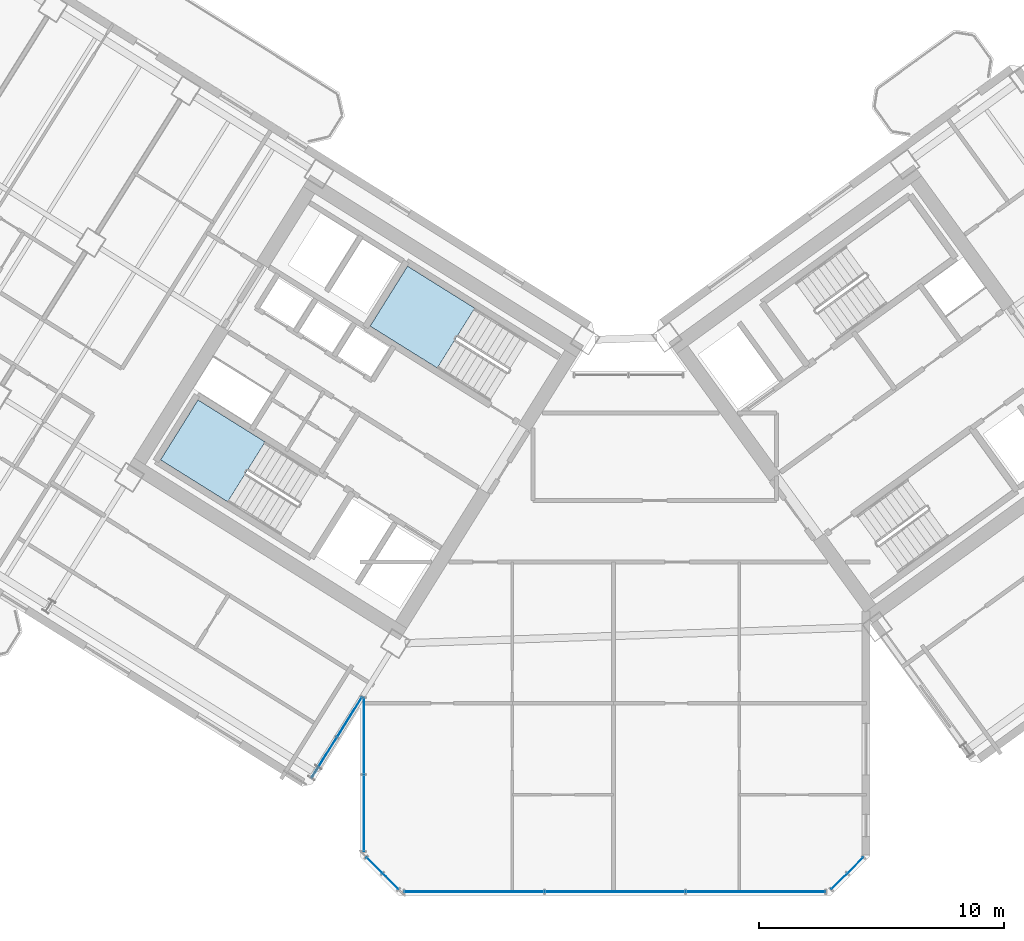
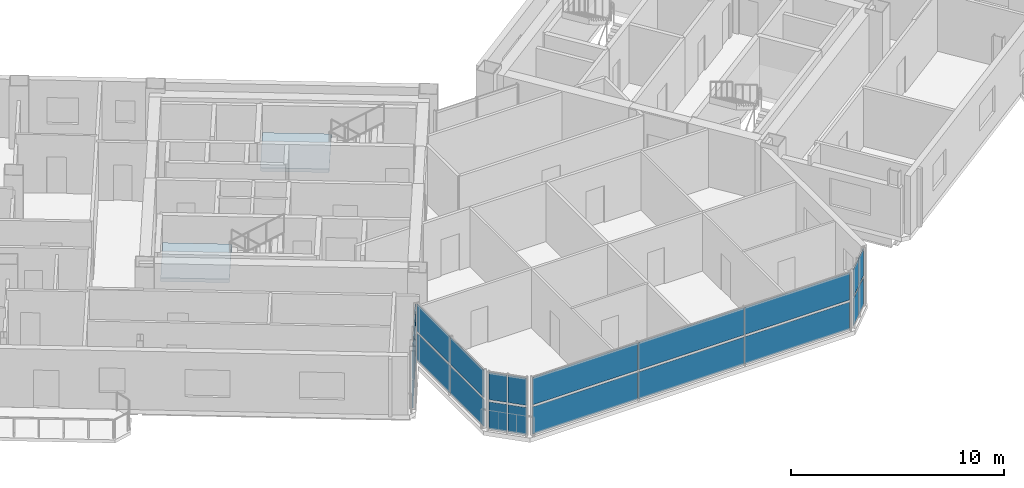
# One storey, part 14 of 25: 22 plates, 2 slabs, 7 elements without a shape of their own.
"""IFC4 building model written with IfcOpenShell, lengths in metres."""

from ifc_helpers import new_model, si_unit, direction, frame, origin, origin_2d, place, context, subcontext, project, spatial, polyline, rectangle, outline, extrude, source, transform, mapped, material, layer, layer_set, type_object, element, aggregate, save


model = new_model("IFC4")

# Units and contexts
model_context = context("Model", 3, precision=1e-05, world=origin(), true_north=direction((0.0, 1.0)))
body_context = subcontext(model_context, "Body", "Model", "MODEL_VIEW")
ifc_project = project(units=[si_unit("LENGTHUNIT", "METRE"), si_unit("AREAUNIT", "SQUARE_METRE"), si_unit("VOLUMEUNIT", "CUBIC_METRE"), si_unit("PLANEANGLEUNIT", "RADIAN"), si_unit("MASSUNIT", "GRAM", prefix="KILO")], contexts=[model_context])

# Site, building, storey
site_placement = place(None, origin())
site = spatial("IfcSite", under=ifc_project, at=site_placement, CompositionType="ELEMENT")
building_placement = place(site_placement, origin())
building = spatial("IfcBuilding", under=site, at=building_placement, Name="Tlacorven Tower", CompositionType="ELEMENT")
storey_placement = place(building_placement, frame((0.0, 0.0, 155.10009765625)))
storey = spatial("IfcBuildingStorey", under=building, at=storey_placement, Name="L39", CompositionType="ELEMENT", Elevation=155.10009765625)

# Stair, slab
ifc_material_1 = material(Name="Concrete C40/50", Category="concrete")
stair_type = type_object("IfcStairType", Name="ST-CORE-DLG", PredefinedType="HALF_TURN_STAIR", material=ifc_material_1)
stair_1_placement = place(storey_placement, origin())
stair_1 = element("IfcStair", 1, at=stair_1_placement, inside=storey, type_object=stair_type, Name="L39 Protected Exit Stair West 1", PredefinedType="HALF_TURN_STAIR")
ifc_layer_1 = layer(ifc_material_1, 0.199951171875)
ifc_layer_set_1 = layer_set([ifc_layer_1], Name="Concrete C40/50")
slab_type = type_object("IfcSlabType", Name="SL-LND-200", PredefinedType="LANDING", material=ifc_layer_set_1)
slab_1_placement = place(storey_placement, frame((0.0, 0.0, 1.599853515625)))
slab_1 = element("IfcSlab", 2, at=slab_1_placement, type_object=slab_type, Name="ST-W1 landing 1", PredefinedType="LANDING", context=body_context, shape_type="SweptSolid", body=[
    extrude(outline(polyline([(27.728515625, 20.315185546875), (24.9892578125, 22.02685546875), (23.463134765625, 19.58447265625), (26.2021484375, 17.872802734375), (27.728515625, 20.315185546875)])), origin(), (0.0, 0.0, 1.0), 0.199951171875),
])
aggregate(stair_1, [slab_1])

stair_2_placement = place(storey_placement, origin())
stair_2 = element("IfcStair", 3, at=stair_2_placement, inside=storey, type_object=stair_type, Name="L39 Protected Exit Stair West 2", PredefinedType="HALF_TURN_STAIR")
slab_2_placement = place(storey_placement, frame((0.0, 0.0, 1.599853515625)))
slab_2 = element("IfcSlab", 4, at=slab_2_placement, type_object=slab_type, Name="ST-W2 landing 1", PredefinedType="LANDING", context=body_context, shape_type="SweptSolid", body=[
    extrude(outline(polyline([(36.280029296875, 25.772705078125), (33.540771484375, 27.484375), (32.0146484375, 25.0419921875), (34.75390625, 23.33056640625), (36.280029296875, 25.772705078125)])), origin(), (0.0, 0.0, 1.0), 0.199951171875),
])
aggregate(stair_2, [slab_2])

# Curtain wall, plates
ifc_material_2 = material(Name="Dark solar low-E double glazing in aluminium frame", Category="aluminium")
curtain_wall_type = type_object("IfcCurtainWallType", Name="CW-TWR-MID", PredefinedType="USERDEFINED", material=ifc_material_2)
curtain_wall_1_placement = place(storey_placement, origin())
curtain_wall_1 = element("IfcCurtainWall", 5, at=curtain_wall_1_placement, inside=storey, type_object=curtain_wall_type, Name="L39 CW-TWR-MID Curtain Wall 172", ObjectType="UNITISED CURTAIN WALL", PredefinedType="USERDEFINED")
ifc_material_3 = material(Name="High-wind dark solar tempered low-E glazing", Category="glass")
ifc_layer_2 = layer(ifc_material_3, 0.028076171875)
ifc_layer_set_2 = layer_set([ifc_layer_2], Name="High-wind dark solar tempered low-E glazing")
plate_type = type_object("IfcPlateType", Name="CWP-03", PredefinedType="CURTAIN_PANEL", material=ifc_layer_set_2)
shared_shape_1 = source(origin(), body_context, "Body", "SweptSolid", [
    extrude(rectangle(XDim=0.885498046875, YDim=0.028076171875, at=origin_2d()), origin(), (0.0, 0.0, 1.0), 1.552978515625),
])
plate_1_placement = place(storey_placement, frame((51.816650390625, 3.04296875, 0.06103515625), z_axis=(0.0, 0.0, 1.0), x_axis=(-0.707106781187, -0.707106781187, 0.0)))
plate_1 = element("IfcPlate", 6, at=plate_1_placement, type_object=plate_type, Name="CW-L39-172 Glazing Panel 1", PredefinedType="CURTAIN_PANEL", context=body_context, shape_type="MappedRepresentation", body=[
    mapped(shared_shape_1, transform((0.0, 0.0, 0.0), scale=1.0)),
])
plate_2_placement = place(storey_placement, frame((51.816650390625, 3.04296875, 1.73583984375), z_axis=(0.0, 0.0, 1.0), x_axis=(-0.707106781187, -0.707106781187, 0.0)))
plate_2 = element("IfcPlate", 7, at=plate_2_placement, type_object=plate_type, Name="CW-L39-172 Glazing Panel 2", PredefinedType="CURTAIN_PANEL", context=body_context, shape_type="MappedRepresentation", body=[
    mapped(shared_shape_1, transform((0.0, 0.0, 0.0), scale=1.0)),
])
plate_3_placement = place(storey_placement, frame((51.1572265625, 2.38330078125, 0.06103515625), z_axis=(0.0, 0.0, 1.0), x_axis=(-0.707106781187, -0.707106781187, 0.0)))
plate_3 = element("IfcPlate", 8, at=plate_3_placement, type_object=plate_type, Name="CW-L39-172 Glazing Panel 3", PredefinedType="CURTAIN_PANEL", context=body_context, shape_type="MappedRepresentation", body=[
    mapped(shared_shape_1, transform((0.0, 0.0, 0.0), scale=1.0)),
])
plate_4_placement = place(storey_placement, frame((51.1572265625, 2.38330078125, 1.73583984375), z_axis=(0.0, 0.0, 1.0), x_axis=(-0.707106781187, -0.707106781187, 0.0)))
plate_4 = element("IfcPlate", 9, at=plate_4_placement, type_object=plate_type, Name="CW-L39-172 Glazing Panel 4", PredefinedType="CURTAIN_PANEL", context=body_context, shape_type="MappedRepresentation", body=[
    mapped(shared_shape_1, transform((0.0, 0.0, 0.0), scale=1.0)),
])
aggregate(curtain_wall_1, [plate_1, plate_2, plate_3, plate_4])

curtain_wall_2_placement = place(storey_placement, origin())
curtain_wall_2 = element("IfcCurtainWall", 10, at=curtain_wall_2_placement, inside=storey, type_object=curtain_wall_type, Name="L39 CW-TWR-MID Curtain Wall 174", ObjectType="UNITISED CURTAIN WALL", PredefinedType="USERDEFINED")
plate_5_placement = place(storey_placement, frame((32.8427734375, 2.38330078125, 0.06103515625), z_axis=(0.0, 0.0, 1.0), x_axis=(-0.707106781187, 0.707106781187, 0.0)))
plate_5 = element("IfcPlate", 11, at=plate_5_placement, type_object=plate_type, Name="CW-L39-174 Glazing Panel 1", PredefinedType="CURTAIN_PANEL", context=body_context, shape_type="MappedRepresentation", body=[
    mapped(shared_shape_1, transform((0.0, 0.0, 0.0), scale=1.0)),
])
plate_6_placement = place(storey_placement, frame((32.8427734375, 2.38330078125, 1.73583984375), z_axis=(0.0, 0.0, 1.0), x_axis=(-0.707106781187, 0.707106781187, 0.0)))
plate_6 = element("IfcPlate", 12, at=plate_6_placement, type_object=plate_type, Name="CW-L39-174 Glazing Panel 2", PredefinedType="CURTAIN_PANEL", context=body_context, shape_type="MappedRepresentation", body=[
    mapped(shared_shape_1, transform((0.0, 0.0, 0.0), scale=1.0)),
])
plate_7_placement = place(storey_placement, frame((32.183349609375, 3.04296875, 0.06103515625), z_axis=(0.0, 0.0, 1.0), x_axis=(-0.707106781187, 0.707106781187, 0.0)))
plate_7 = element("IfcPlate", 13, at=plate_7_placement, type_object=plate_type, Name="CW-L39-174 Glazing Panel 3", PredefinedType="CURTAIN_PANEL", context=body_context, shape_type="MappedRepresentation", body=[
    mapped(shared_shape_1, transform((0.0, 0.0, 0.0), scale=1.0)),
])
plate_8_placement = place(storey_placement, frame((32.183349609375, 3.04296875, 1.73583984375), z_axis=(0.0, 0.0, 1.0), x_axis=(-0.707106781187, 0.707106781187, 0.0)))
plate_8 = element("IfcPlate", 14, at=plate_8_placement, type_object=plate_type, Name="CW-L39-174 Glazing Panel 4", PredefinedType="CURTAIN_PANEL", context=body_context, shape_type="MappedRepresentation", body=[
    mapped(shared_shape_1, transform((0.0, 0.0, 0.0), scale=1.0)),
])
aggregate(curtain_wall_2, [plate_5, plate_6, plate_7, plate_8])

curtain_wall_3_placement = place(storey_placement, origin())
curtain_wall_3 = element("IfcCurtainWall", 15, at=curtain_wall_3_placement, inside=storey, type_object=curtain_wall_type, Name="L39 CW-TWR-MID Curtain Wall 173", ObjectType="UNITISED CURTAIN WALL", PredefinedType="USERDEFINED")
shared_shape_2 = source(origin(), body_context, "Body", "SweptSolid", [
    extrude(rectangle(XDim=5.67626953125, YDim=0.028076171875, at=origin_2d()), origin(), (0.0, 0.0, 1.0), 1.552978515625),
])
plate_9_placement = place(storey_placement, frame((47.739501953125, 1.9599609375, 0.06103515625), z_axis=(0.0, 0.0, 1.0), x_axis=(-1.0, 0.0, 0.0)))
plate_9 = element("IfcPlate", 16, at=plate_9_placement, type_object=plate_type, Name="CW-L39-173 Glazing Panel 1", PredefinedType="CURTAIN_PANEL", context=body_context, shape_type="MappedRepresentation", body=[
    mapped(shared_shape_2, transform((0.0, 0.0, 0.0), scale=1.0)),
])
plate_10_placement = place(storey_placement, frame((47.739501953125, 1.9599609375, 1.73583984375), z_axis=(0.0, 0.0, 1.0), x_axis=(-1.0, 0.0, 0.0)))
plate_10 = element("IfcPlate", 17, at=plate_10_placement, type_object=plate_type, Name="CW-L39-173 Glazing Panel 2", PredefinedType="CURTAIN_PANEL", context=body_context, shape_type="MappedRepresentation", body=[
    mapped(shared_shape_2, transform((0.0, 0.0, 0.0), scale=1.0)),
])
plate_11_placement = place(storey_placement, frame((36.260498046875, 1.9599609375, 0.06103515625), z_axis=(0.0, 0.0, 1.0), x_axis=(-1.0, 0.0, 0.0)))
plate_11 = element("IfcPlate", 18, at=plate_11_placement, type_object=plate_type, Name="CW-L39-173 Glazing Panel 5", PredefinedType="CURTAIN_PANEL", context=body_context, shape_type="MappedRepresentation", body=[
    mapped(shared_shape_2, transform((0.0, 0.0, 0.0), scale=1.0)),
])
plate_12_placement = place(storey_placement, frame((36.260498046875, 1.9599609375, 1.73583984375), z_axis=(0.0, 0.0, 1.0), x_axis=(-1.0, 0.0, 0.0)))
plate_12 = element("IfcPlate", 19, at=plate_12_placement, type_object=plate_type, Name="CW-L39-173 Glazing Panel 6", PredefinedType="CURTAIN_PANEL", context=body_context, shape_type="MappedRepresentation", body=[
    mapped(shared_shape_2, transform((0.0, 0.0, 0.0), scale=1.0)),
])
shared_shape_3 = source(origin(), body_context, "Body", "SweptSolid", [
    extrude(rectangle(XDim=5.708740234375, YDim=0.028076171875, at=origin_2d()), origin(), (0.0, 0.0, 1.0), 1.552978515625),
])
plate_13_placement = place(storey_placement, frame((42.0, 1.9599609375, 0.06103515625), z_axis=(0.0, 0.0, 1.0), x_axis=(-1.0, 0.0, 0.0)))
plate_13 = element("IfcPlate", 20, at=plate_13_placement, type_object=plate_type, Name="CW-L39-173 Glazing Panel 3", PredefinedType="CURTAIN_PANEL", context=body_context, shape_type="MappedRepresentation", body=[
    mapped(shared_shape_3, transform((0.0, 0.0, 0.0), scale=1.0)),
])
plate_14_placement = place(storey_placement, frame((42.0, 1.9599609375, 1.73583984375), z_axis=(0.0, 0.0, 1.0), x_axis=(-1.0, 0.0, 0.0)))
plate_14 = element("IfcPlate", 21, at=plate_14_placement, type_object=plate_type, Name="CW-L39-173 Glazing Panel 4", PredefinedType="CURTAIN_PANEL", context=body_context, shape_type="MappedRepresentation", body=[
    mapped(shared_shape_3, transform((0.0, 0.0, 0.0), scale=1.0)),
])
aggregate(curtain_wall_3, [plate_9, plate_10, plate_13, plate_14, plate_11, plate_12])

curtain_wall_4_placement = place(storey_placement, origin())
curtain_wall_4 = element("IfcCurtainWall", 22, at=curtain_wall_4_placement, inside=storey, type_object=curtain_wall_type, Name="L39 CW-TWR-MID Curtain Wall 175", ObjectType="UNITISED CURTAIN WALL", PredefinedType="USERDEFINED")
shared_shape_4 = source(origin(), body_context, "Body", "SweptSolid", [
    extrude(rectangle(XDim=3.101806640625, YDim=0.028076171875, at=origin_2d()), origin(), (0.0, 0.0, 1.0), 1.552978515625),
])
plate_15_placement = place(storey_placement, frame((31.760009765625, 5.173095703125, 0.06103515625), z_axis=(0.0, 0.0, 1.0), x_axis=(0.0, 1.0, 0.0)))
plate_15 = element("IfcPlate", 23, at=plate_15_placement, type_object=plate_type, Name="CW-L39-175 Glazing Panel 1", PredefinedType="CURTAIN_PANEL", context=body_context, shape_type="MappedRepresentation", body=[
    mapped(shared_shape_4, transform((0.0, 0.0, 0.0), scale=1.0)),
])
plate_16_placement = place(storey_placement, frame((31.760009765625, 5.173095703125, 1.73583984375), z_axis=(0.0, 0.0, 1.0), x_axis=(0.0, 1.0, 0.0)))
plate_16 = element("IfcPlate", 24, at=plate_16_placement, type_object=plate_type, Name="CW-L39-175 Glazing Panel 2", PredefinedType="CURTAIN_PANEL", context=body_context, shape_type="MappedRepresentation", body=[
    mapped(shared_shape_4, transform((0.0, 0.0, 0.0), scale=1.0)),
])
plate_17_placement = place(storey_placement, frame((31.760009765625, 8.32177734375, 0.06103515625), z_axis=(0.0, 0.0, 1.0), x_axis=(0.0, 1.0, 0.0)))
plate_17 = element("IfcPlate", 25, at=plate_17_placement, type_object=plate_type, Name="CW-L39-175 Glazing Panel 3", PredefinedType="CURTAIN_PANEL", context=body_context, shape_type="MappedRepresentation", body=[
    mapped(shared_shape_4, transform((0.0, 0.0, 0.0), scale=1.0)),
])
plate_18_placement = place(storey_placement, frame((31.760009765625, 8.32177734375, 1.73583984375), z_axis=(0.0, 0.0, 1.0), x_axis=(0.0, 1.0, 0.0)))
plate_18 = element("IfcPlate", 26, at=plate_18_placement, type_object=plate_type, Name="CW-L39-175 Glazing Panel 4", PredefinedType="CURTAIN_PANEL", context=body_context, shape_type="MappedRepresentation", body=[
    mapped(shared_shape_4, transform((0.0, 0.0, 0.0), scale=1.0)),
])
aggregate(curtain_wall_4, [plate_15, plate_16, plate_17, plate_18])

curtain_wall_5_placement = place(storey_placement, origin())
curtain_wall_5 = element("IfcCurtainWall", 27, at=curtain_wall_5_placement, inside=storey, type_object=curtain_wall_type, Name="L39 CW-TWR-MID Curtain Wall 176", ObjectType="UNITISED CURTAIN WALL", PredefinedType="USERDEFINED")
shared_shape_5 = source(origin(), body_context, "Body", "SweptSolid", [
    extrude(rectangle(XDim=1.90380859375, YDim=0.028076171875, at=origin_2d()), origin(), (0.0, 0.0, 1.0), 1.552978515625),
])
plate_19_placement = place(storey_placement, frame((31.1728515625, 9.089111328125, 0.06103515625), z_axis=(0.0, 0.0, 1.0), x_axis=(-0.529918710919, -0.848048441905, 0.0)))
plate_19 = element("IfcPlate", 28, at=plate_19_placement, type_object=plate_type, Name="CW-L39-176 Glazing Panel 1", PredefinedType="CURTAIN_PANEL", context=body_context, shape_type="MappedRepresentation", body=[
    mapped(shared_shape_5, transform((0.0, 0.0, 0.0), scale=1.0)),
])
plate_20_placement = place(storey_placement, frame((31.1728515625, 9.089111328125, 1.73583984375), z_axis=(0.0, 0.0, 1.0), x_axis=(-0.529918710919, -0.848048441905, 0.0)))
plate_20 = element("IfcPlate", 29, at=plate_20_placement, type_object=plate_type, Name="CW-L39-176 Glazing Panel 2", PredefinedType="CURTAIN_PANEL", context=body_context, shape_type="MappedRepresentation", body=[
    mapped(shared_shape_5, transform((0.0, 0.0, 0.0), scale=1.0)),
])
plate_21_placement = place(storey_placement, frame((30.13916015625, 7.4345703125, 0.06103515625), z_axis=(0.0, 0.0, 1.0), x_axis=(-0.529918710919, -0.848048441905, 0.0)))
plate_21 = element("IfcPlate", 30, at=plate_21_placement, type_object=plate_type, Name="CW-L39-176 Glazing Panel 3", PredefinedType="CURTAIN_PANEL", context=body_context, shape_type="MappedRepresentation", body=[
    mapped(shared_shape_5, transform((0.0, 0.0, 0.0), scale=1.0)),
])
plate_22_placement = place(storey_placement, frame((30.13916015625, 7.4345703125, 1.73583984375), z_axis=(0.0, 0.0, 1.0), x_axis=(-0.529918710919, -0.848048441905, 0.0)))
plate_22 = element("IfcPlate", 31, at=plate_22_placement, type_object=plate_type, Name="CW-L39-176 Glazing Panel 4", PredefinedType="CURTAIN_PANEL", context=body_context, shape_type="MappedRepresentation", body=[
    mapped(shared_shape_5, transform((0.0, 0.0, 0.0), scale=1.0)),
])
aggregate(curtain_wall_5, [plate_19, plate_20, plate_21, plate_22])

save(model, "model.ifc")
